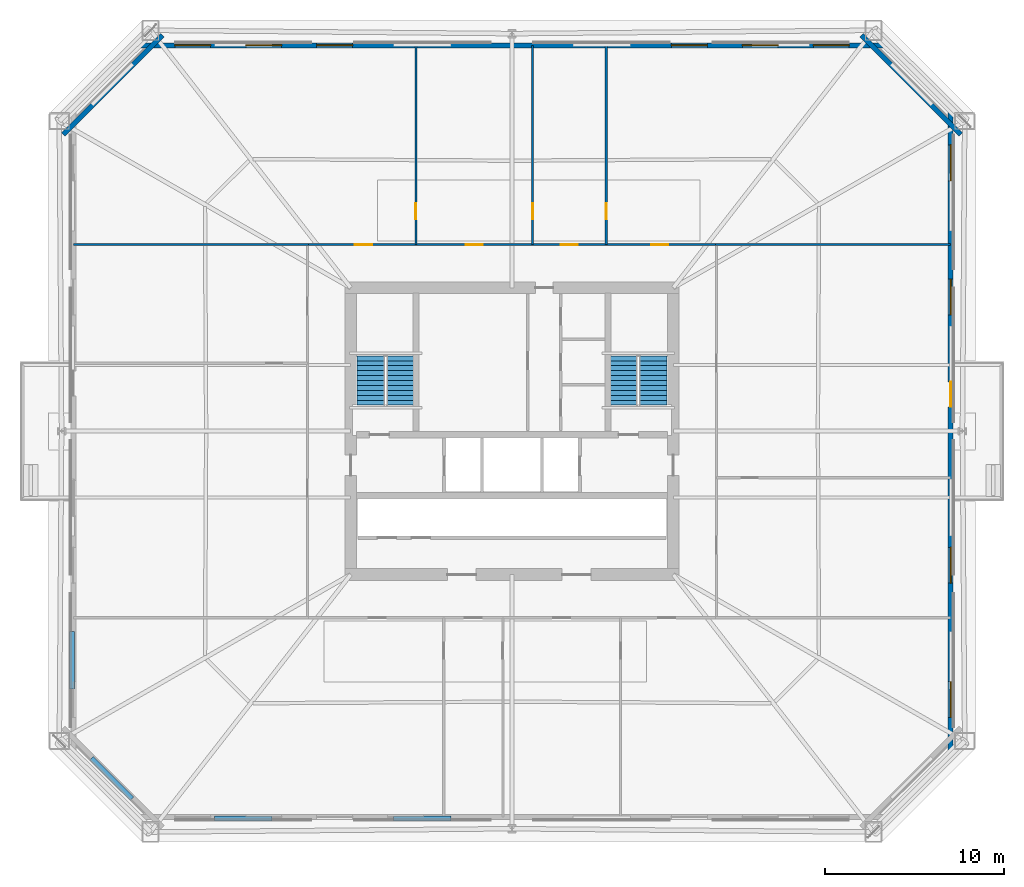
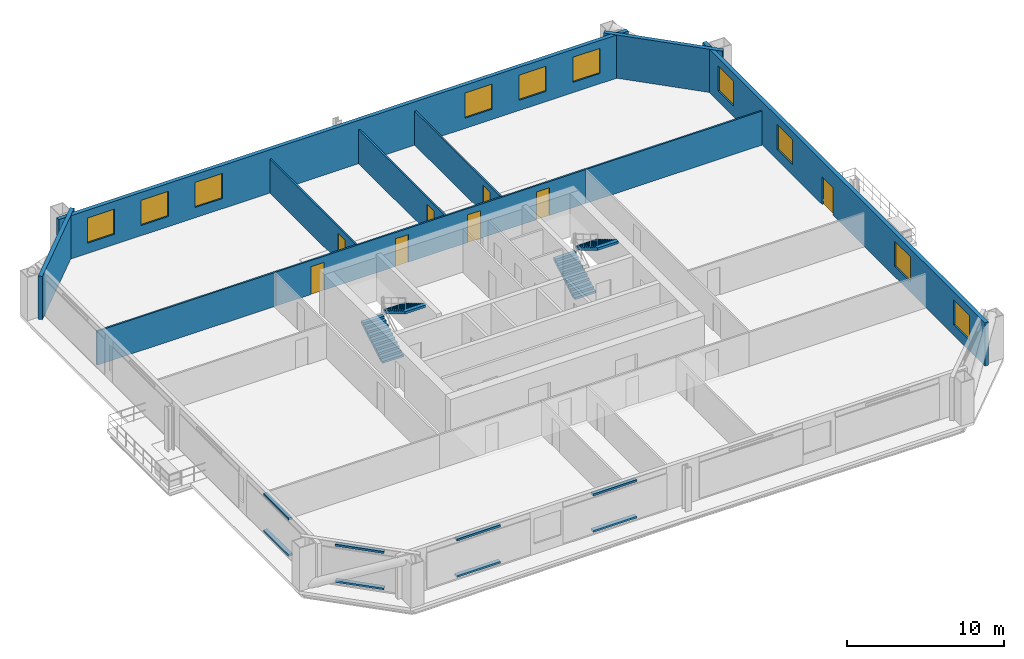
# One storey, part 7 of 11: 10 walls, 10 windows, 8 discrete accessories, 8 doors, 4 stair flights, 18 openings, 2 elements without a shape of their own.
"""IFC4 building model written with IfcOpenShell, lengths in metres."""

from ifc_helpers import new_model, si_unit, direction, frame, frame_2d, origin, origin_2d, place, context, subcontext, project, spatial, polyline, rectangle, outline, extrude, material, layer, layer_set, type_object, element, fill, aggregate, save


model = new_model("IFC4")

# Units and contexts
model_context = context("Model", 3, precision=1e-05, world=origin(), true_north=direction((0.0, 1.0)))
body_context = subcontext(model_context, "Body", "Model", "MODEL_VIEW")
ifc_project = project(units=[si_unit("LENGTHUNIT", "METRE"), si_unit("AREAUNIT", "SQUARE_METRE"), si_unit("VOLUMEUNIT", "CUBIC_METRE"), si_unit("PLANEANGLEUNIT", "RADIAN"), si_unit("MASSUNIT", "GRAM", prefix="KILO")], contexts=[model_context])

# Site, building, storey
site_placement = place(None, origin())
site = spatial("IfcSite", under=ifc_project, at=site_placement, CompositionType="ELEMENT")
building_placement = place(site_placement, origin())
building = spatial("IfcBuilding", under=site, at=building_placement, Name="Caelvoria Tower", CompositionType="ELEMENT")
storey_placement = place(building_placement, frame((0.0, 0.0, 64.0)))
storey = spatial("IfcBuildingStorey", under=building, at=storey_placement, Name="L16", CompositionType="ELEMENT", Elevation=64.0)

# Wall, openings, windows, door
ifc_material_1 = material(Name="Precast Concrete C40/50 with Bronze Cladding", Category="concrete")
ifc_layer_1 = layer(ifc_material_1, 0.280029296875, Name="Precast Concrete C40/50 with Bronze Cladding")
ifc_layer_set_1 = layer_set([ifc_layer_1], Name="Exterior Precast Concrete C40/50 Bronze-Clad Facade Wall 280 - Precast Concrete C40/50 with Bronze Cladding")
wall_type_1 = type_object("IfcWallType", Name="Exterior Precast Concrete C40/50 Bronze-Clad Facade Wall 280", PredefinedType="STANDARD", material=ifc_layer_set_1)
wall_1_placement = place(storey_placement, frame((70.469970703125, 14.06005859375, 0.0), z_axis=(0.0, 0.0, 1.0), x_axis=(0.0, 1.0, 0.0)))
wall_1 = element("IfcWall", 1, at=wall_1_placement, inside=storey, type_object=wall_type_1, Name="Exterior Facade Wall L16-E2", PredefinedType="STANDARD", context=body_context, shape_type="SweptSolid", body=[
    extrude(rectangle(XDim=35.8798828125, YDim=0.280029296875, at=frame_2d((17.93994140625, 0.0))), origin(), (0.0, 0.0, 1.0), 3.360107421875),
])
opening_1_placement = place(wall_1_placement, frame((19.2900390625, 0.0, 0.0)))
opening_1 = element("IfcOpeningElement", 2, at=opening_1_placement, cuts=wall_1, Name="Opening ED-04", PredefinedType="OPENING", context=body_context, shape_type="SweptSolid", body=[
    extrude(rectangle(XDim=1.39990234375, YDim=2.14990234375, at=frame_2d((0.699951171875, 1.074951171875))), frame((0.0, 0.14990234375, 0.0), z_axis=(0.0, -1.0, 0.0), x_axis=(1.0, 0.0, 0.0)), (0.0, 0.0, 1.0), 0.300048828125),
])
opening_2_placement = place(wall_1_placement, frame((1.97119140625, 0.0, 0.800048828125)))
opening_2 = element("IfcOpeningElement", 3, at=opening_2_placement, cuts=wall_1, Name="Opening WN-01", PredefinedType="OPENING", context=body_context, shape_type="SweptSolid", body=[
    extrude(rectangle(XDim=2.0, YDim=1.949951171875, at=frame_2d((1.0, 0.97509765625))), frame((0.0, 0.14990234375, 0.0), z_axis=(0.0, -1.0, 0.0), x_axis=(1.0, 0.0, 0.0)), (0.0, 0.0, 1.0), 0.300048828125),
])
opening_3_placement = place(wall_1_placement, frame((9.45556640625, 0.0, 0.800048828125)))
opening_3 = element("IfcOpeningElement", 4, at=opening_3_placement, cuts=wall_1, Name="Opening WN-01", PredefinedType="OPENING", context=body_context, shape_type="SweptSolid", body=[
    extrude(rectangle(XDim=2.0, YDim=1.949951171875, at=frame_2d((1.0, 0.97509765625))), frame((0.0, 0.14990234375, 0.0), z_axis=(0.0, -1.0, 0.0), x_axis=(1.0, 0.0, 0.0)), (0.0, 0.0, 1.0), 0.300048828125),
])
opening_4_placement = place(wall_1_placement, frame((24.42431640625, 0.0, 0.800048828125)))
opening_4 = element("IfcOpeningElement", 5, at=opening_4_placement, cuts=wall_1, Name="Opening WN-01", PredefinedType="OPENING", context=body_context, shape_type="SweptSolid", body=[
    extrude(rectangle(XDim=2.0, YDim=1.949951171875, at=frame_2d((1.0, 0.97509765625))), frame((0.0, 0.14990234375, 0.0), z_axis=(0.0, -1.0, 0.0), x_axis=(1.0, 0.0, 0.0)), (0.0, 0.0, 1.0), 0.300048828125),
])
opening_5_placement = place(wall_1_placement, frame((31.908935546875, 0.0, 0.800048828125)))
opening_5 = element("IfcOpeningElement", 6, at=opening_5_placement, cuts=wall_1, Name="Opening WN-01", PredefinedType="OPENING", context=body_context, shape_type="SweptSolid", body=[
    extrude(rectangle(XDim=2.0, YDim=1.949951171875, at=frame_2d((1.0, 0.97509765625))), frame((0.0, 0.14990234375, 0.0), z_axis=(0.0, -1.0, 0.0), x_axis=(1.0, 0.0, 0.0)), (0.0, 0.0, 1.0), 0.300048828125),
])
ifc_material_2 = material(Name="Low-E Tinted Glass in Bronze Aluminium Frame", Category="aluminium")
window_type = type_object("IfcWindowType", Name="Tower Office Vision Window 2000x1950", PartitioningType="SINGLE_PANEL", PredefinedType="WINDOW", material=ifc_material_2)
window_1_placement = place(opening_2_placement, origin())
window_1 = element("IfcWindow", 7, at=window_1_placement, inside=storey, type_object=window_type, Name="Facade Window L16-E2-00", OverallHeight=1.949951171875, OverallWidth=2.0, PartitioningType="SINGLE_PANEL", PredefinedType="WINDOW", context=body_context, shape_type="SweptSolid", body=[
    extrude(rectangle(XDim=2.0, YDim=1.949951171875, at=frame_2d((1.0, 0.97509765625))), frame((0.0, 0.030029296875, 0.0), z_axis=(0.0, -1.0, 0.0), x_axis=(1.0, 0.0, 0.0)), (0.0, 0.0, 1.0), 0.06005859375),
])
fill(opening_2, window_1)
window_2_placement = place(opening_3_placement, origin())
window_2 = element("IfcWindow", 8, at=window_2_placement, inside=storey, type_object=window_type, Name="Facade Window L16-E2-02", OverallHeight=1.949951171875, OverallWidth=2.0, PartitioningType="SINGLE_PANEL", PredefinedType="WINDOW", context=body_context, shape_type="SweptSolid", body=[
    extrude(rectangle(XDim=2.0, YDim=1.949951171875, at=frame_2d((1.0, 0.97509765625))), frame((0.0, 0.030029296875, 0.0), z_axis=(0.0, -1.0, 0.0), x_axis=(1.0, 0.0, 0.0)), (0.0, 0.0, 1.0), 0.06005859375),
])
fill(opening_3, window_2)
window_3_placement = place(opening_4_placement, origin())
window_3 = element("IfcWindow", 9, at=window_3_placement, inside=storey, type_object=window_type, Name="Facade Window L16-E2-06", OverallHeight=1.949951171875, OverallWidth=2.0, PartitioningType="SINGLE_PANEL", PredefinedType="WINDOW", context=body_context, shape_type="SweptSolid", body=[
    extrude(rectangle(XDim=2.0, YDim=1.949951171875, at=frame_2d((1.0, 0.97509765625))), frame((0.0, 0.030029296875, 0.0), z_axis=(0.0, -1.0, 0.0), x_axis=(1.0, 0.0, 0.0)), (0.0, 0.0, 1.0), 0.06005859375),
])
fill(opening_4, window_3)
window_4_placement = place(opening_5_placement, origin())
window_4 = element("IfcWindow", 10, at=window_4_placement, inside=storey, type_object=window_type, Name="Facade Window L16-E2-08", OverallHeight=1.949951171875, OverallWidth=2.0, PartitioningType="SINGLE_PANEL", PredefinedType="WINDOW", context=body_context, shape_type="SweptSolid", body=[
    extrude(rectangle(XDim=2.0, YDim=1.949951171875, at=frame_2d((1.0, 0.97509765625))), frame((0.0, 0.030029296875, 0.0), z_axis=(0.0, -1.0, 0.0), x_axis=(1.0, 0.0, 0.0)), (0.0, 0.0, 1.0), 0.06005859375),
])
fill(opening_5, window_4)
ifc_material_3 = material(Name="Anodised Bronze Aluminium and Laminated Glass", Category="aluminium")
door_type_1 = type_object("IfcDoorType", Name="Tree Balcony Glazed Door 1400x2150", OperationType="NOTDEFINED", PredefinedType="DOOR", material=ifc_material_3)
door_1_placement = place(opening_1_placement, origin())
door_1 = element("IfcDoor", 11, at=door_1_placement, inside=storey, type_object=door_type_1, Name="Tree Balcony Door L16-E", OperationType="SINGLE_SWING_LEFT", OverallHeight=2.14990234375, OverallWidth=1.39990234375, PredefinedType="DOOR", context=body_context, shape_type="SweptSolid", body=[
    extrude(rectangle(XDim=1.39990234375, YDim=2.14990234375, at=frame_2d((0.699951171875, 1.074951171875))), frame((0.0, 0.02490234375, 0.0), z_axis=(0.0, -1.0, 0.0), x_axis=(1.0, 0.0, 0.0)), (0.0, 0.0, 1.0), 0.050048828125),
])
fill(opening_1, door_1)

# Wall
wall_2_placement = place(storey_placement, frame((71.0439453125, 48.554443359375, 0.0), z_axis=(0.0, 0.0, 1.0), x_axis=(-0.707106781187, 0.707106781187, 0.0)))
element("IfcWall", 12, at=wall_2_placement, inside=storey, type_object=wall_type_1, Name="Exterior Facade Wall L16-E3", PredefinedType="STANDARD", context=body_context, shape_type="SweptSolid", body=[
    extrude(rectangle(XDim=7.834228515625, YDim=0.280029296875, at=frame_2d((3.9169921875, 0.0))), origin(), (0.0, 0.0, 1.0), 3.360107421875),
])

# Wall, openings, windows
wall_3_placement = place(storey_placement, frame((66.889892578125, 53.52001953125, 0.0), z_axis=(0.0, 0.0, 1.0), x_axis=(-1.0, 0.0, 0.0)))
wall_3 = element("IfcWall", 13, at=wall_3_placement, inside=storey, type_object=wall_type_1, Name="Exterior Facade Wall L16-E4", PredefinedType="STANDARD", context=body_context, shape_type="SweptSolid", body=[
    extrude(rectangle(XDim=41.77978515625, YDim=0.280029296875, at=frame_2d((20.889892578125, 0.0))), origin(), (0.0, 0.0, 1.0), 3.360107421875),
])
opening_6_placement = place(wall_3_placement, frame((2.0791015625, 0.0, 0.800048828125)))
opening_6 = element("IfcOpeningElement", 14, at=opening_6_placement, cuts=wall_3, Name="Opening WN-01", PredefinedType="OPENING", context=body_context, shape_type="SweptSolid", body=[
    extrude(rectangle(XDim=2.0, YDim=1.949951171875, at=frame_2d((1.0, 0.97509765625))), frame((0.0, 0.14990234375, 0.0), z_axis=(0.0, -1.0, 0.0), x_axis=(1.0, 0.0, 0.0)), (0.0, 0.0, 1.0), 0.300048828125),
])
opening_7_placement = place(wall_3_placement, frame((6.037109375, 0.0, 0.800048828125)))
opening_7 = element("IfcOpeningElement", 15, at=opening_7_placement, cuts=wall_3, Name="Opening WN-01", PredefinedType="OPENING", context=body_context, shape_type="SweptSolid", body=[
    extrude(rectangle(XDim=2.0, YDim=1.949951171875, at=frame_2d((1.0, 0.97509765625))), frame((0.0, 0.14990234375, 0.0), z_axis=(0.0, -1.0, 0.0), x_axis=(1.0, 0.0, 0.0)), (0.0, 0.0, 1.0), 0.300048828125),
])
opening_8_placement = place(wall_3_placement, frame((9.9951171875, 0.0, 0.800048828125)))
opening_8 = element("IfcOpeningElement", 16, at=opening_8_placement, cuts=wall_3, Name="Opening WN-01", PredefinedType="OPENING", context=body_context, shape_type="SweptSolid", body=[
    extrude(rectangle(XDim=2.0, YDim=1.949951171875, at=frame_2d((1.0, 0.97509765625))), frame((0.0, 0.14990234375, 0.0), z_axis=(0.0, -1.0, 0.0), x_axis=(1.0, 0.0, 0.0)), (0.0, 0.0, 1.0), 0.300048828125),
])
opening_9_placement = place(wall_3_placement, frame((29.784912109375, 0.0, 0.800048828125)))
opening_9 = element("IfcOpeningElement", 17, at=opening_9_placement, cuts=wall_3, Name="Opening WN-01", PredefinedType="OPENING", context=body_context, shape_type="SweptSolid", body=[
    extrude(rectangle(XDim=2.0, YDim=1.949951171875, at=frame_2d((1.0, 0.97509765625))), frame((0.0, 0.14990234375, 0.0), z_axis=(0.0, -1.0, 0.0), x_axis=(1.0, 0.0, 0.0)), (0.0, 0.0, 1.0), 0.300048828125),
])
opening_10_placement = place(wall_3_placement, frame((33.742919921875, 0.0, 0.800048828125)))
opening_10 = element("IfcOpeningElement", 18, at=opening_10_placement, cuts=wall_3, Name="Opening WN-01", PredefinedType="OPENING", context=body_context, shape_type="SweptSolid", body=[
    extrude(rectangle(XDim=2.0, YDim=1.949951171875, at=frame_2d((1.0, 0.97509765625))), frame((0.0, 0.14990234375, 0.0), z_axis=(0.0, -1.0, 0.0), x_axis=(1.0, 0.0, 0.0)), (0.0, 0.0, 1.0), 0.300048828125),
])
opening_11_placement = place(wall_3_placement, frame((37.700927734375, 0.0, 0.800048828125)))
opening_11 = element("IfcOpeningElement", 19, at=opening_11_placement, cuts=wall_3, Name="Opening WN-01", PredefinedType="OPENING", context=body_context, shape_type="SweptSolid", body=[
    extrude(rectangle(XDim=2.0, YDim=1.949951171875, at=frame_2d((1.0, 0.97509765625))), frame((0.0, 0.14990234375, 0.0), z_axis=(0.0, -1.0, 0.0), x_axis=(1.0, 0.0, 0.0)), (0.0, 0.0, 1.0), 0.300048828125),
])
window_5_placement = place(opening_6_placement, origin())
window_5 = element("IfcWindow", 20, at=window_5_placement, inside=storey, type_object=window_type, Name="Facade Window L16-E4-00", OverallHeight=1.949951171875, OverallWidth=2.0, PartitioningType="SINGLE_PANEL", PredefinedType="WINDOW", context=body_context, shape_type="SweptSolid", body=[
    extrude(rectangle(XDim=2.0, YDim=1.949951171875, at=frame_2d((1.0, 0.97509765625))), frame((0.0, 0.030029296875, 0.0), z_axis=(0.0, -1.0, 0.0), x_axis=(1.0, 0.0, 0.0)), (0.0, 0.0, 1.0), 0.06005859375),
])
fill(opening_6, window_5)
window_6_placement = place(opening_7_placement, origin())
window_6 = element("IfcWindow", 21, at=window_6_placement, inside=storey, type_object=window_type, Name="Facade Window L16-E4-01", OverallHeight=1.949951171875, OverallWidth=2.0, PartitioningType="SINGLE_PANEL", PredefinedType="WINDOW", context=body_context, shape_type="SweptSolid", body=[
    extrude(rectangle(XDim=2.0, YDim=1.949951171875, at=frame_2d((1.0, 0.97509765625))), frame((0.0, 0.030029296875, 0.0), z_axis=(0.0, -1.0, 0.0), x_axis=(1.0, 0.0, 0.0)), (0.0, 0.0, 1.0), 0.06005859375),
])
fill(opening_7, window_6)
window_7_placement = place(opening_8_placement, origin())
window_7 = element("IfcWindow", 22, at=window_7_placement, inside=storey, type_object=window_type, Name="Facade Window L16-E4-02", OverallHeight=1.949951171875, OverallWidth=2.0, PartitioningType="SINGLE_PANEL", PredefinedType="WINDOW", context=body_context, shape_type="SweptSolid", body=[
    extrude(rectangle(XDim=2.0, YDim=1.949951171875, at=frame_2d((1.0, 0.97509765625))), frame((0.0, 0.030029296875, 0.0), z_axis=(0.0, -1.0, 0.0), x_axis=(1.0, 0.0, 0.0)), (0.0, 0.0, 1.0), 0.06005859375),
])
fill(opening_8, window_7)
window_8_placement = place(opening_9_placement, origin())
window_8 = element("IfcWindow", 23, at=window_8_placement, inside=storey, type_object=window_type, Name="Facade Window L16-E4-07", OverallHeight=1.949951171875, OverallWidth=2.0, PartitioningType="SINGLE_PANEL", PredefinedType="WINDOW", context=body_context, shape_type="SweptSolid", body=[
    extrude(rectangle(XDim=2.0, YDim=1.949951171875, at=frame_2d((1.0, 0.97509765625))), frame((0.0, 0.030029296875, 0.0), z_axis=(0.0, -1.0, 0.0), x_axis=(1.0, 0.0, 0.0)), (0.0, 0.0, 1.0), 0.06005859375),
])
fill(opening_9, window_8)
window_9_placement = place(opening_10_placement, origin())
window_9 = element("IfcWindow", 24, at=window_9_placement, inside=storey, type_object=window_type, Name="Facade Window L16-E4-08", OverallHeight=1.949951171875, OverallWidth=2.0, PartitioningType="SINGLE_PANEL", PredefinedType="WINDOW", context=body_context, shape_type="SweptSolid", body=[
    extrude(rectangle(XDim=2.0, YDim=1.949951171875, at=frame_2d((1.0, 0.97509765625))), frame((0.0, 0.030029296875, 0.0), z_axis=(0.0, -1.0, 0.0), x_axis=(1.0, 0.0, 0.0)), (0.0, 0.0, 1.0), 0.06005859375),
])
fill(opening_10, window_9)
window_10_placement = place(opening_11_placement, origin())
window_10 = element("IfcWindow", 25, at=window_10_placement, inside=storey, type_object=window_type, Name="Facade Window L16-E4-09", OverallHeight=1.949951171875, OverallWidth=2.0, PartitioningType="SINGLE_PANEL", PredefinedType="WINDOW", context=body_context, shape_type="SweptSolid", body=[
    extrude(rectangle(XDim=2.0, YDim=1.949951171875, at=frame_2d((1.0, 0.97509765625))), frame((0.0, 0.030029296875, 0.0), z_axis=(0.0, -1.0, 0.0), x_axis=(1.0, 0.0, 0.0)), (0.0, 0.0, 1.0), 0.06005859375),
])
fill(opening_11, window_10)

# Wall
wall_4_placement = place(storey_placement, frame((26.49560546875, 54.093994140625, 0.0), z_axis=(0.0, 0.0, 1.0), x_axis=(-0.707106781187, -0.707106781187, 0.0)))
element("IfcWall", 26, at=wall_4_placement, inside=storey, type_object=wall_type_1, Name="Exterior Facade Wall L16-E5", PredefinedType="STANDARD", context=body_context, shape_type="SweptSolid", body=[
    extrude(rectangle(XDim=7.834228515625, YDim=0.280029296875, at=frame_2d((3.9169921875, 0.0))), origin(), (0.0, 0.0, 1.0), 3.360107421875),
])

# Wall, opening, door
ifc_material_4 = material(Name="Acoustic Gypsum Board on Light-Gauge Stud", Category="gypsum")
ifc_layer_2 = layer(ifc_material_4, 0.1201171875, Name="Acoustic Gypsum Board on Light-Gauge Stud")
ifc_layer_set_2 = layer_set([ifc_layer_2], Name="Tenant Suite Acoustic Partition Wall 120 - Acoustic Gypsum Board on Light-Gauge Stud")
wall_type_2 = type_object("IfcWallType", Name="Tenant Suite Acoustic Partition Wall 120", PredefinedType="PARTITIONING", material=ifc_layer_set_2)
wall_5_placement = place(storey_placement, frame((40.638916015625, 42.409912109375, 0.0), z_axis=(0.0, 0.0, 1.0), x_axis=(0.0, 1.0, 0.0)))
wall_5 = element("IfcWall", 27, at=wall_5_placement, inside=storey, type_object=wall_type_2, Name="Interior Partition IW-L16-ND-00-0", PredefinedType="PARTITIONING", context=body_context, shape_type="SweptSolid", body=[
    extrude(rectangle(XDim=11.110107421875, YDim=0.1201171875, at=frame_2d((5.55517578125, 0.0))), origin(), (0.0, 0.0, 1.0), 2.639892578125),
])
opening_12_placement = place(wall_5_placement, frame((1.39990234375, 0.0, 0.0)))
opening_12 = element("IfcOpeningElement", 28, at=opening_12_placement, cuts=wall_5, Name="Opening ID-06", PredefinedType="OPENING", context=body_context, shape_type="SweptSolid", body=[
    extrude(rectangle(XDim=0.89990234375, YDim=2.14990234375, at=frame_2d((0.449951171875, 1.074951171875))), frame((0.0, 0.070068359375, 0.0), z_axis=(0.0, -1.0, 0.0), x_axis=(1.0, 0.0, 0.0)), (0.0, 0.0, 1.0), 0.14013671875),
])
ifc_material_5 = material(Name="Engineered Andean Oak Veneer Door", Category="wood")
door_type_2 = type_object("IfcDoorType", Name="Interior Timber Door 900x2150", OperationType="NOTDEFINED", PredefinedType="DOOR", material=ifc_material_5)
door_2_placement = place(opening_12_placement, origin())
door_2 = element("IfcDoor", 29, at=door_2_placement, inside=storey, type_object=door_type_2, Name="Interior Door DR-L16-NM-00-0", OperationType="SINGLE_SWING_RIGHT", OverallHeight=2.14990234375, OverallWidth=0.89990234375, PredefinedType="DOOR", context=body_context, shape_type="SweptSolid", body=[
    extrude(rectangle(XDim=0.89990234375, YDim=2.14990234375, at=frame_2d((0.449951171875, 1.074951171875))), frame((0.0, 0.02490234375, 0.0), z_axis=(0.0, -1.0, 0.0), x_axis=(1.0, 0.0, 0.0)), (0.0, 0.0, 1.0), 0.050048828125),
])
fill(opening_12, door_2)

wall_6_placement = place(storey_placement, frame((47.147705078125, 42.409912109375, 0.0), z_axis=(0.0, 0.0, 1.0), x_axis=(0.0, 1.0, 0.0)))
wall_6 = element("IfcWall", 30, at=wall_6_placement, inside=storey, type_object=wall_type_2, Name="Interior Partition IW-L16-ND-01-0", PredefinedType="PARTITIONING", context=body_context, shape_type="SweptSolid", body=[
    extrude(rectangle(XDim=11.110107421875, YDim=0.1201171875, at=frame_2d((5.55517578125, 0.0))), origin(), (0.0, 0.0, 1.0), 2.639892578125),
])
opening_13_placement = place(wall_6_placement, frame((1.39990234375, 0.0, 0.0)))
opening_13 = element("IfcOpeningElement", 31, at=opening_13_placement, cuts=wall_6, Name="Opening ID-06", PredefinedType="OPENING", context=body_context, shape_type="SweptSolid", body=[
    extrude(rectangle(XDim=0.89990234375, YDim=2.14990234375, at=frame_2d((0.449951171875, 1.074951171875))), frame((0.0, 0.070068359375, 0.0), z_axis=(0.0, -1.0, 0.0), x_axis=(1.0, 0.0, 0.0)), (0.0, 0.0, 1.0), 0.14013671875),
])
door_3_placement = place(opening_13_placement, origin())
door_3 = element("IfcDoor", 32, at=door_3_placement, inside=storey, type_object=door_type_2, Name="Interior Door DR-L16-NM-01-0", OperationType="SINGLE_SWING_LEFT", OverallHeight=2.14990234375, OverallWidth=0.89990234375, PredefinedType="DOOR", context=body_context, shape_type="SweptSolid", body=[
    extrude(rectangle(XDim=0.89990234375, YDim=2.14990234375, at=frame_2d((0.449951171875, 1.074951171875))), frame((0.0, 0.02490234375, 0.0), z_axis=(0.0, -1.0, 0.0), x_axis=(1.0, 0.0, 0.0)), (0.0, 0.0, 1.0), 0.050048828125),
])
fill(opening_13, door_3)

wall_7_placement = place(storey_placement, frame((51.2607421875, 42.409912109375, 0.0), z_axis=(0.0, 0.0, 1.0), x_axis=(0.0, 1.0, 0.0)))
wall_7 = element("IfcWall", 33, at=wall_7_placement, inside=storey, type_object=wall_type_2, Name="Interior Partition IW-L16-ND-02-0", PredefinedType="PARTITIONING", context=body_context, shape_type="SweptSolid", body=[
    extrude(rectangle(XDim=11.110107421875, YDim=0.1201171875, at=frame_2d((5.55517578125, 0.0))), origin(), (0.0, 0.0, 1.0), 2.639892578125),
])
opening_14_placement = place(wall_7_placement, frame((1.39990234375, 0.0, 0.0)))
opening_14 = element("IfcOpeningElement", 34, at=opening_14_placement, cuts=wall_7, Name="Opening ID-06", PredefinedType="OPENING", context=body_context, shape_type="SweptSolid", body=[
    extrude(rectangle(XDim=0.89990234375, YDim=2.14990234375, at=frame_2d((0.449951171875, 1.074951171875))), frame((0.0, 0.070068359375, 0.0), z_axis=(0.0, -1.0, 0.0), x_axis=(1.0, 0.0, 0.0)), (0.0, 0.0, 1.0), 0.14013671875),
])
door_4_placement = place(opening_14_placement, origin())
door_4 = element("IfcDoor", 35, at=door_4_placement, inside=storey, type_object=door_type_2, Name="Interior Door DR-L16-NM-02-0", OperationType="SINGLE_SWING_RIGHT", OverallHeight=2.14990234375, OverallWidth=0.89990234375, PredefinedType="DOOR", context=body_context, shape_type="SweptSolid", body=[
    extrude(rectangle(XDim=0.89990234375, YDim=2.14990234375, at=frame_2d((0.449951171875, 1.074951171875))), frame((0.0, 0.02490234375, 0.0), z_axis=(0.0, -1.0, 0.0), x_axis=(1.0, 0.0, 0.0)), (0.0, 0.0, 1.0), 0.050048828125),
])
fill(opening_14, door_4)

# Wall, openings, doors
wall_8_placement = place(storey_placement, frame((34.64990234375, 42.409912109375, 0.0), z_axis=(0.0, 0.0, 1.0), x_axis=(1.0, 0.0, 0.0)))
wall_8 = element("IfcWall", 36, at=wall_8_placement, inside=storey, type_object=wall_type_2, Name="Interior Partition IW-L16-NCW-0", PredefinedType="PARTITIONING", context=body_context, shape_type="SweptSolid", body=[
    extrude(rectangle(XDim=22.7001953125, YDim=0.1201171875, at=frame_2d((11.35009765625, 0.0))), origin(), (0.0, 0.0, 1.0), 2.639892578125),
])
opening_15_placement = place(wall_8_placement, frame((2.589599609375, 0.0, 0.0)))
opening_15 = element("IfcOpeningElement", 37, at=opening_15_placement, cuts=wall_8, Name="Opening ID-05", PredefinedType="OPENING", context=body_context, shape_type="SweptSolid", body=[
    extrude(rectangle(XDim=0.949951171875, YDim=2.14990234375, at=frame_2d((0.47509765625, 1.074951171875))), frame((0.0, 0.070068359375, 0.0), z_axis=(0.0, -1.0, 0.0), x_axis=(1.0, 0.0, 0.0)), (0.0, 0.0, 1.0), 0.14013671875),
])
opening_16_placement = place(wall_8_placement, frame((8.768310546875, 0.0, 0.0)))
opening_16 = element("IfcOpeningElement", 38, at=opening_16_placement, cuts=wall_8, Name="Opening ID-05", PredefinedType="OPENING", context=body_context, shape_type="SweptSolid", body=[
    extrude(rectangle(XDim=0.949951171875, YDim=2.14990234375, at=frame_2d((0.47509765625, 1.074951171875))), frame((0.0, 0.070068359375, 0.0), z_axis=(0.0, -1.0, 0.0), x_axis=(1.0, 0.0, 0.0)), (0.0, 0.0, 1.0), 0.14013671875),
])
opening_17_placement = place(wall_8_placement, frame((14.079345703125, 0.0, 0.0)))
opening_17 = element("IfcOpeningElement", 39, at=opening_17_placement, cuts=wall_8, Name="Opening ID-05", PredefinedType="OPENING", context=body_context, shape_type="SweptSolid", body=[
    extrude(rectangle(XDim=0.949951171875, YDim=2.14990234375, at=frame_2d((0.47509765625, 1.074951171875))), frame((0.0, 0.070068359375, 0.0), z_axis=(0.0, -1.0, 0.0), x_axis=(1.0, 0.0, 0.0)), (0.0, 0.0, 1.0), 0.14013671875),
])
opening_18_placement = place(wall_8_placement, frame((19.1103515625, 0.0, 0.0)))
opening_18 = element("IfcOpeningElement", 40, at=opening_18_placement, cuts=wall_8, Name="Opening ID-05", PredefinedType="OPENING", context=body_context, shape_type="SweptSolid", body=[
    extrude(rectangle(XDim=0.949951171875, YDim=2.14990234375, at=frame_2d((0.47509765625, 1.074951171875))), frame((0.0, 0.070068359375, 0.0), z_axis=(0.0, -1.0, 0.0), x_axis=(1.0, 0.0, 0.0)), (0.0, 0.0, 1.0), 0.14013671875),
])
door_type_3 = type_object("IfcDoorType", Name="Interior Timber Door 950x2150", OperationType="NOTDEFINED", PredefinedType="DOOR", material=ifc_material_5)
door_5_placement = place(opening_15_placement, origin())
door_5 = element("IfcDoor", 41, at=door_5_placement, inside=storey, type_object=door_type_3, Name="Interior Door DR-L16-NC-00-0", OperationType="SINGLE_SWING_LEFT", OverallHeight=2.14990234375, OverallWidth=0.949951171875, PredefinedType="DOOR", context=body_context, shape_type="SweptSolid", body=[
    extrude(rectangle(XDim=0.949951171875, YDim=2.14990234375, at=frame_2d((0.47509765625, 1.074951171875))), frame((0.0, 0.02490234375, 0.0), z_axis=(0.0, -1.0, 0.0), x_axis=(1.0, 0.0, 0.0)), (0.0, 0.0, 1.0), 0.050048828125),
])
fill(opening_15, door_5)
door_6_placement = place(opening_16_placement, origin())
door_6 = element("IfcDoor", 42, at=door_6_placement, inside=storey, type_object=door_type_3, Name="Interior Door DR-L16-NC-01-0", OperationType="SINGLE_SWING_RIGHT", OverallHeight=2.14990234375, OverallWidth=0.949951171875, PredefinedType="DOOR", context=body_context, shape_type="SweptSolid", body=[
    extrude(rectangle(XDim=0.949951171875, YDim=2.14990234375, at=frame_2d((0.47509765625, 1.074951171875))), frame((0.0, 0.02490234375, 0.0), z_axis=(0.0, -1.0, 0.0), x_axis=(1.0, 0.0, 0.0)), (0.0, 0.0, 1.0), 0.050048828125),
])
fill(opening_16, door_6)
door_7_placement = place(opening_17_placement, origin())
door_7 = element("IfcDoor", 43, at=door_7_placement, inside=storey, type_object=door_type_3, Name="Interior Door DR-L16-NC-02-0", OperationType="SINGLE_SWING_LEFT", OverallHeight=2.14990234375, OverallWidth=0.949951171875, PredefinedType="DOOR", context=body_context, shape_type="SweptSolid", body=[
    extrude(rectangle(XDim=0.949951171875, YDim=2.14990234375, at=frame_2d((0.47509765625, 1.074951171875))), frame((0.0, 0.02490234375, 0.0), z_axis=(0.0, -1.0, 0.0), x_axis=(1.0, 0.0, 0.0)), (0.0, 0.0, 1.0), 0.050048828125),
])
fill(opening_17, door_7)
door_8_placement = place(opening_18_placement, origin())
door_8 = element("IfcDoor", 44, at=door_8_placement, inside=storey, type_object=door_type_3, Name="Interior Door DR-L16-NC-03-0", OperationType="SINGLE_SWING_RIGHT", OverallHeight=2.14990234375, OverallWidth=0.949951171875, PredefinedType="DOOR", context=body_context, shape_type="SweptSolid", body=[
    extrude(rectangle(XDim=0.949951171875, YDim=2.14990234375, at=frame_2d((0.47509765625, 1.074951171875))), frame((0.0, 0.02490234375, 0.0), z_axis=(0.0, -1.0, 0.0), x_axis=(1.0, 0.0, 0.0)), (0.0, 0.0, 1.0), 0.050048828125),
])
fill(opening_18, door_8)

# Walls
for number, where, z_axis, x_axis, name in (
    (45, (34.64990234375, 42.409912109375, 0.0), (0.0, 0.0, 1.0), (-1.0, 0.0, 0.0), "Interior Partition IW-L16-BNW-0"),
    (46, (57.35009765625, 42.409912109375, 0.0), (0.0, 0.0, 1.0), (1.0, 0.0, 0.0), "Interior Partition IW-L16-BNE-0"),
):
    element("IfcWall", number, at=place(storey_placement, frame(where, z_axis=z_axis, x_axis=x_axis)), inside=storey, type_object=wall_type_2, Name=name, PredefinedType="PARTITIONING", context=body_context, shape_type="SweptSolid", body=[
        extrude(rectangle(XDim=13.119873046875, YDim=0.1201171875, at=frame_2d((6.56005859375, 0.0))), origin(), (0.0, 0.0, 1.0), 2.639892578125),
    ])

# Stair, stair flights
ifc_material_6 = material(Name="Concrete C40/50", Category="concrete")
stair_type = type_object("IfcStairType", Name="Core Smokeproof Dogleg Stair Concrete C40/50", PredefinedType="HALF_TURN_STAIR", material=ifc_material_6)
stair_1_placement = place(storey_placement, origin())
stair_1 = element("IfcStair", 47, at=stair_1_placement, inside=storey, type_object=stair_type, Name="ST-01 Smokeproof Exit Stair L16", PredefinedType="HALF_TURN_STAIR")
ifc_material_7 = material(Name="Precast Concrete C40/50", Category="concrete")
stair_flight_type = type_object("IfcStairFlightType", Name="Precast Concrete C40/50 Stair Flight 1480", PredefinedType="STRAIGHT", material=ifc_material_7)
stair_flight_1_placement = place(storey_placement, frame((38.1298828125, 33.449951171875, 0.0), z_axis=(0.0, 0.0, 1.0), x_axis=(0.0, 1.0, 0.0)))
stair_flight_1 = element("IfcStairFlight", 48, at=stair_flight_1_placement, type_object=stair_flight_type, Name="ST-01 flight 1", NumberOfRisers=11, NumberOfTreads=10, PredefinedType="STRAIGHT", RiserHeight=0.1636, TreadLength=0.275, context=body_context, shape_type="SweptSolid", body=[
    extrude(outline(polyline([(0.0, 0.0), (0.0, 0.16357421875), (0.27490234375, 0.16357421875), (0.27490234375, 0.3271484375), (0.550048828125, 0.3271484375), (0.550048828125, 0.49072265625), (0.824951171875, 0.49072265625), (0.824951171875, 0.654296875), (1.10009765625, 0.654296875), (1.10009765625, 0.818115234375), (1.375, 0.818115234375), (1.375, 0.981689453125), (1.64990234375, 0.981689453125), (1.64990234375, 1.145263671875), (1.925048828125, 1.145263671875), (1.925048828125, 1.308837890625), (2.199951171875, 1.308837890625), (2.199951171875, 1.472412109375), (2.47509765625, 1.472412109375), (2.47509765625, 1.635986328125), (2.75, 1.635986328125), (2.75, 1.799560546875), (2.75, 1.449951171875), (0.312744140625, 0.0), (0.0, 0.0)])), frame((0.0, 0.77001953125, 0.0), z_axis=(0.0, -1.0, 0.0), x_axis=(1.0, 0.0, 0.0)), (0.0, 0.0, 1.0), 1.5400390625),
])
stair_flight_2_placement = place(storey_placement, frame((39.77001953125, 36.199951171875, 1.800048828125), z_axis=(0.0, 0.0, 1.0), x_axis=(0.0, -1.0, 0.0)))
stair_flight_2 = element("IfcStairFlight", 49, at=stair_flight_2_placement, type_object=stair_flight_type, Name="ST-01 flight 2", NumberOfRisers=11, NumberOfTreads=10, PredefinedType="STRAIGHT", RiserHeight=0.1636, TreadLength=0.275, context=body_context, shape_type="SweptSolid", body=[
    extrude(outline(polyline([(0.0, 0.0), (0.0, 0.16357421875), (0.27490234375, 0.16357421875), (0.27490234375, 0.3271484375), (0.550048828125, 0.3271484375), (0.550048828125, 0.49072265625), (0.824951171875, 0.49072265625), (0.824951171875, 0.654296875), (1.10009765625, 0.654296875), (1.10009765625, 0.818115234375), (1.375, 0.818115234375), (1.375, 0.981689453125), (1.64990234375, 0.981689453125), (1.64990234375, 1.145263671875), (1.925048828125, 1.145263671875), (1.925048828125, 1.308837890625), (2.199951171875, 1.308837890625), (2.199951171875, 1.472412109375), (2.47509765625, 1.472412109375), (2.47509765625, 1.635986328125), (2.75, 1.635986328125), (2.75, 1.799560546875), (2.75, 1.449951171875), (0.312744140625, 0.0), (0.0, 0.0)])), frame((0.0, 0.77001953125, 0.0), z_axis=(0.0, -1.0, 0.0), x_axis=(1.0, 0.0, 0.0)), (0.0, 0.0, 1.0), 1.5400390625),
])
aggregate(stair_1, [stair_flight_1, stair_flight_2])

stair_2_placement = place(storey_placement, origin())
stair_2 = element("IfcStair", 50, at=stair_2_placement, inside=storey, type_object=stair_type, Name="ST-02 Smokeproof Exit Stair L16", PredefinedType="HALF_TURN_STAIR")
stair_flight_3_placement = place(storey_placement, frame((52.22998046875, 33.449951171875, 0.0), z_axis=(0.0, 0.0, 1.0), x_axis=(0.0, 1.0, 0.0)))
stair_flight_3 = element("IfcStairFlight", 51, at=stair_flight_3_placement, type_object=stair_flight_type, Name="ST-02 flight 1", NumberOfRisers=11, NumberOfTreads=10, PredefinedType="STRAIGHT", RiserHeight=0.1636, TreadLength=0.275, context=body_context, shape_type="SweptSolid", body=[
    extrude(outline(polyline([(0.0, 0.0), (0.0, 0.16357421875), (0.27490234375, 0.16357421875), (0.27490234375, 0.3271484375), (0.550048828125, 0.3271484375), (0.550048828125, 0.49072265625), (0.824951171875, 0.49072265625), (0.824951171875, 0.654296875), (1.10009765625, 0.654296875), (1.10009765625, 0.818115234375), (1.375, 0.818115234375), (1.375, 0.981689453125), (1.64990234375, 0.981689453125), (1.64990234375, 1.145263671875), (1.925048828125, 1.145263671875), (1.925048828125, 1.308837890625), (2.199951171875, 1.308837890625), (2.199951171875, 1.472412109375), (2.47509765625, 1.472412109375), (2.47509765625, 1.635986328125), (2.75, 1.635986328125), (2.75, 1.799560546875), (2.75, 1.449951171875), (0.312744140625, 0.0), (0.0, 0.0)])), frame((0.0, 0.77001953125, 0.0), z_axis=(0.0, -1.0, 0.0), x_axis=(1.0, 0.0, 0.0)), (0.0, 0.0, 1.0), 1.5400390625),
])
stair_flight_4_placement = place(storey_placement, frame((53.8701171875, 36.199951171875, 1.800048828125), z_axis=(0.0, 0.0, 1.0), x_axis=(0.0, -1.0, 0.0)))
stair_flight_4 = element("IfcStairFlight", 52, at=stair_flight_4_placement, type_object=stair_flight_type, Name="ST-02 flight 2", NumberOfRisers=11, NumberOfTreads=10, PredefinedType="STRAIGHT", RiserHeight=0.1636, TreadLength=0.275, context=body_context, shape_type="SweptSolid", body=[
    extrude(outline(polyline([(0.0, 0.0), (0.0, 0.16357421875), (0.27490234375, 0.16357421875), (0.27490234375, 0.3271484375), (0.550048828125, 0.3271484375), (0.550048828125, 0.49072265625), (0.824951171875, 0.49072265625), (0.824951171875, 0.654296875), (1.10009765625, 0.654296875), (1.10009765625, 0.818115234375), (1.375, 0.818115234375), (1.375, 0.981689453125), (1.64990234375, 0.981689453125), (1.64990234375, 1.145263671875), (1.925048828125, 1.145263671875), (1.925048828125, 1.308837890625), (2.199951171875, 1.308837890625), (2.199951171875, 1.472412109375), (2.47509765625, 1.472412109375), (2.47509765625, 1.635986328125), (2.75, 1.635986328125), (2.75, 1.799560546875), (2.75, 1.449951171875), (0.312744140625, 0.0), (0.0, 0.0)])), frame((0.0, 0.77001953125, 0.0), z_axis=(0.0, -1.0, 0.0), x_axis=(1.0, 0.0, 0.0)), (0.0, 0.0, 1.0), 1.5400390625),
])
aggregate(stair_2, [stair_flight_3, stair_flight_4])

# Discrete accessories
ifc_material_8 = material(Name="Anodised Bronze Stainless Bracket", Category="bronze")
discrete_accessory_type = type_object("IfcDiscreteAccessoryType", Name="Solar Screen Outrigger Support Bracket", PredefinedType="BRACKET", material=ifc_material_8)
for number, where, z_axis, x_axis, name in (
    (53, (31.007568359375, 10.403076171875, 0.240234375), (0.0, 0.0, 1.0), (1.0, 0.0, 0.0), "Solar Screen Bracket L16-E0-00"),
    (54, (31.007568359375, 10.403076171875, 3.06005859375), (0.0, 0.0, 1.0), (1.0, 0.0, 0.0), "Upper Screen Band Bracket L16-E0-00"),
    (55, (41.00244140625, 10.403076171875, 0.240234375), (0.0, 0.0, 1.0), (1.0, 0.0, 0.0), "Solar Screen Bracket L16-E0-01"),
    (56, (41.00244140625, 10.403076171875, 3.06005859375), (0.0, 0.0, 1.0), (1.0, 0.0, 0.0), "Upper Screen Band Bracket L16-E0-01"),
    (57, (21.452880859375, 19.219970703125, 0.240234375), (0.0, 0.0, 1.0), (0.0, -1.0, 0.0), "Solar Screen Bracket L16-E6-03"),
    (58, (21.452880859375, 19.219970703125, 3.06005859375), (0.0, 0.0, 1.0), (0.0, -1.0, 0.0), "Upper Screen Band Bracket L16-E6-03"),
    (59, (23.67138671875, 12.621337890625, 0.240234375), (0.0, 0.0, 1.0), (0.707106781187, -0.707106781187, 0.0), "Solar Screen Bracket L16-E7-00"),
    (60, (23.67138671875, 12.621337890625, 3.06005859375), (0.0, 0.0, 1.0), (0.707106781187, -0.707106781187, 0.0), "Upper Screen Band Bracket L16-E7-00"),
):
    element("IfcDiscreteAccessory", number, at=place(storey_placement, frame(where, z_axis=z_axis, x_axis=x_axis)), inside=storey, type_object=discrete_accessory_type, Name=name, PredefinedType="BRACKET", context=body_context, shape_type="SweptSolid", body=[
        extrude(rectangle(XDim=3.199951171875, YDim=0.280029296875, at=origin_2d()), origin(), (0.0, 0.0, 1.0), 0.159912109375),
    ])

save(model, "model.ifc")
